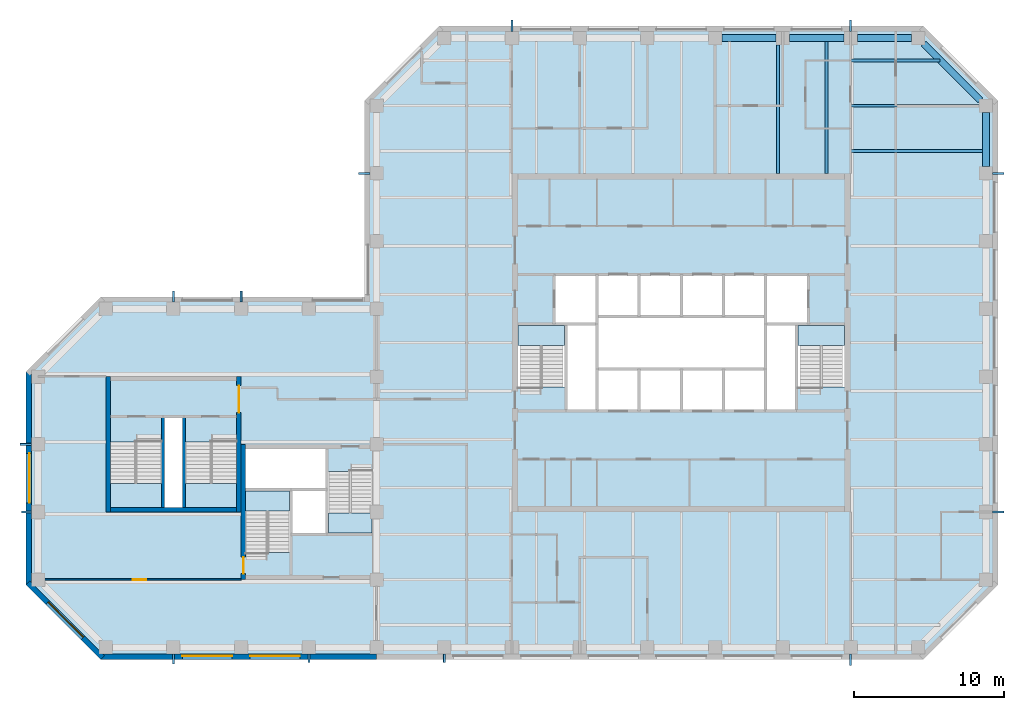
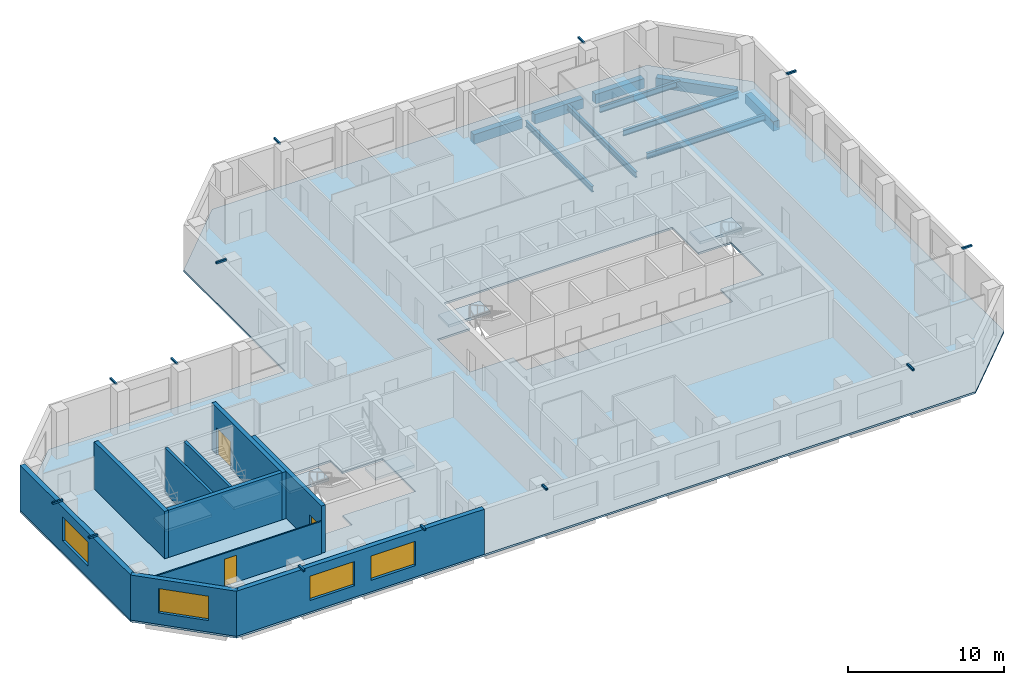
# One storey, part 2 of 9: 23 beams, 10 walls, 7 slabs, 4 windows, 3 doors, 7 openings, 6 elements without a shape of their own.
"""IFC4 building model written with IfcOpenShell, lengths in metres."""

import ifcopenshell
import ifcopenshell.guid

model = None  # the IFC model being written
_history = None  # IfcOwnerHistory: only IFC2X3 demands one
_inside = {}  # id of a spatial element -> (the spatial element, [elements in it])
_under = {}  # id of a project, library or spatial element -> (it, [spatial elements below it])
_declared = {}  # id of a project -> (the project, [libraries it declares])
_typed = {}  # id of a type object -> (the type object, [elements of that type])
_made_of = {}  # id of a material, layer set ... -> (it, [elements and type objects made of it])


def new_model(schema):
    """Start an empty IFC model of exactly this schema.

    Asked for "IFC4X3", IfcOpenShell would pick the latest addendum, in which some entities
    have other attributes; the version numbers below select the first issue.
    IFC2X3 requires an IfcOwnerHistory on every rooted entity: one is made here for all.
    """
    global model, _history
    if schema == "IFC4X3":
        model = ifcopenshell.file(schema_version=(4, 3, 0, 0))
    else:
        model = ifcopenshell.file(schema=schema)
    _inside.clear()
    _under.clear()
    _declared.clear()
    _typed.clear()
    _made_of.clear()
    _history = None
    if model.schema == "IFC2X3":
        org = make("IfcOrganization", Name="unknown")
        user = make(
            "IfcPersonAndOrganization",
            ThePerson=make("IfcPerson", FamilyName="unknown"),
            TheOrganization=org,
        )
        app = make(
            "IfcApplication",
            ApplicationDeveloper=org,
            Version="unknown",
            ApplicationFullName="unknown",
            ApplicationIdentifier="unknown",
        )
        _history = make(
            "IfcOwnerHistory",
            OwningUser=user,
            OwningApplication=app,
            ChangeAction="ADDED",
            CreationDate=0,
        )
    return model


def make(cls, **values):
    """One entity of the class cls with the attributes given. An attribute that is None is left unset."""
    return model.create_entity(
        cls, **{name: value for name, value in values.items() if value is not None}
    )


def rooted(cls, **values):
    """An entity with a GlobalId (a new one), such as an element, a storey or a relation."""
    return make(cls, GlobalId=ifcopenshell.guid.new(), OwnerHistory=_history, **values)


def si_unit(unit_type, name, prefix=None):
    """IfcSIUnit, for example si_unit("LENGTHUNIT", "METRE", prefix="MILLI")."""
    return make("IfcSIUnit", UnitType=unit_type, Prefix=prefix, Name=name)


def assignment(units):
    """IfcUnitAssignment: the units of a project."""
    return None if units is None else make("IfcUnitAssignment", Units=units)


def point(xyz):
    """IfcCartesianPoint."""
    return None if xyz is None else make("IfcCartesianPoint", Coordinates=xyz)


def direction(xyz):
    """IfcDirection."""
    return None if xyz is None else make("IfcDirection", DirectionRatios=xyz)


def frame(location, z_axis=None, x_axis=None):
    """IfcAxis2Placement3D, a coordinate frame: its origin and axes. An axis left out is left unset."""
    return make(
        "IfcAxis2Placement3D",
        Location=point(location),
        Axis=direction(z_axis),
        RefDirection=direction(x_axis),
    )


def frame_2d(location, x_axis=None):
    """IfcAxis2Placement2D, a coordinate frame in the plane: its origin and x axis."""
    return make(
        "IfcAxis2Placement2D", Location=point(location), RefDirection=direction(x_axis)
    )


def origin():
    """The frame at (0, 0, 0) with its axes left unset."""
    return frame((0.0, 0.0, 0.0))


def origin_2d():
    """The frame at (0, 0) in the plane with its x axis left unset."""
    return frame_2d((0.0, 0.0))


def place(relative_to, where):
    """IfcLocalPlacement: puts the frame where relative to a parent placement (None: the world)."""
    return make(
        "IfcLocalPlacement", PlacementRelTo=relative_to, RelativePlacement=where
    )


def context(
    kind, dimensions, precision=None, world=None, true_north=None, identifier=None
):
    """IfcGeometricRepresentationContext, for example the 3D "Model" context."""
    return make(
        "IfcGeometricRepresentationContext",
        ContextIdentifier=identifier,
        ContextType=kind,
        CoordinateSpaceDimension=dimensions,
        Precision=precision,
        WorldCoordinateSystem=world,
        TrueNorth=true_north,
    )


def subcontext(parent, identifier, kind, view, scale=None):
    """IfcGeometricRepresentationSubContext, for example "Body" below "Model"."""
    return make(
        "IfcGeometricRepresentationSubContext",
        ContextIdentifier=identifier,
        ContextType=kind,
        ParentContext=parent,
        TargetScale=scale,
        TargetView=view,
    )


def project(units=None, contexts=None):
    """IfcProject with its units and contexts."""
    return rooted(
        "IfcProject",
        Name="project",
        RepresentationContexts=contexts,
        UnitsInContext=assignment(units),
    )


def spatial(cls, under=None, at=None, **own):
    """A site, building, storey or space (cls), placed at a placement, below another one or the project."""
    s = rooted(cls, ObjectPlacement=at, **own)
    if under is not None:
        _under.setdefault(under.id(), (under, []))[1].append(s)
    return s


def polyline(points):
    """IfcPolyline through the points."""
    return make("IfcPolyline", Points=[point(p) for p in points])


def profile(cls, at=None, kind="AREA", **sizes):
    """A parametric profile (cls). Its sizes go by their IFC names, for example OverallWidth=200.0."""
    return make(cls, ProfileType=kind, Position=at, **sizes)


def rectangle(**sizes):
    """IfcRectangleProfileDef."""
    return profile("IfcRectangleProfileDef", **sizes)


def hollow_rectangle(**sizes):
    """IfcRectangleHollowProfileDef."""
    return profile("IfcRectangleHollowProfileDef", **sizes)


def i_section(**sizes):
    """IfcIShapeProfileDef."""
    return profile("IfcIShapeProfileDef", **sizes)


def outline(outer, holes=None, kind="AREA"):
    """IfcArbitraryClosedProfileDef: a profile drawn as a closed curve; with holes, ...WithVoids."""
    if holes is None:
        return make("IfcArbitraryClosedProfileDef", ProfileType=kind, OuterCurve=outer)
    return make(
        "IfcArbitraryProfileDefWithVoids",
        ProfileType=kind,
        OuterCurve=outer,
        InnerCurves=holes,
    )


def extrude(swept, where, along, depth):
    """IfcExtrudedAreaSolid: the profile swept, set in the frame where, extruded along a direction by depth."""
    return make(
        "IfcExtrudedAreaSolid",
        SweptArea=swept,
        Position=where,
        ExtrudedDirection=direction(along),
        Depth=depth,
    )


def shape(context_of_items, identifier, shape_type, items):
    """IfcShapeRepresentation: the items that make up one representation, for example the "Body"."""
    return make(
        "IfcShapeRepresentation",
        ContextOfItems=context_of_items,
        RepresentationIdentifier=identifier,
        RepresentationType=shape_type,
        Items=items,
    )


def material(Name=None, Category=None):
    """IfcMaterial."""
    return make("IfcMaterial", Name=Name, Category=Category)


def layer(
    of_material, thickness, ventilated=None, Name=None, Category=None, Priority=None
):
    """IfcMaterialLayer: one layer of a wall or slab, of a material (None: an air gap)."""
    return make(
        "IfcMaterialLayer",
        Material=of_material,
        LayerThickness=thickness,
        IsVentilated=ventilated,
        Name=Name,
        Category=Category,
        Priority=Priority,
    )


def layer_set(layers, Name=None):
    """IfcMaterialLayerSet."""
    return make("IfcMaterialLayerSet", MaterialLayers=layers, LayerSetName=Name)


def constituent(of_material, Name=None, Category=None, fraction=None):
    """IfcMaterialConstituent: one of the materials an element consists of."""
    return make(
        "IfcMaterialConstituent",
        Name=Name,
        Material=of_material,
        Fraction=fraction,
        Category=Category,
    )


def constituent_set(constituents=None, Name=None):
    """IfcMaterialConstituentSet."""
    return make(
        "IfcMaterialConstituentSet", Name=Name, MaterialConstituents=constituents
    )


def material_profile(
    of_material, cross_section, Name=None, Category=None, Priority=None
):
    """IfcMaterialProfile: a cross section and its material."""
    return make(
        "IfcMaterialProfile",
        Name=Name,
        Material=of_material,
        Profile=cross_section,
        Priority=Priority,
        Category=Category,
    )


def profile_set(profiles, Name=None, composite=None):
    """IfcMaterialProfileSet."""
    return make(
        "IfcMaterialProfileSet",
        Name=Name,
        MaterialProfiles=profiles,
        CompositeProfile=composite,
    )


def made_of(thing, what):
    """Note that an element or type object is made of a material, layer set ...; save() writes the relation."""
    if what is not None:
        _made_of.setdefault(what.id(), (what, []))[1].append(thing)
    return thing


def type_object(cls, material=None, **own):
    """A type object (cls), such as IfcWallType, which elements share."""
    return made_of(rooted(cls, **own), material)


def element(
    cls,
    number,
    at=None,
    inside=None,
    cuts=None,
    type_object=None,
    material=None,
    context=None,
    identifier="Body",
    shape_type=None,
    held_by="IfcProductDefinitionShape",
    body=None,
    shapes=None,
    **own,
):
    """One element of the class cls, such as IfcWall. Its Tag is "e" and its number.

    at: its placement. inside: the storey or other place that contains it. cuts: it is an
    opening in that element (IfcRelVoidsElement). A single representation is given by context,
    identifier, shape_type and body (its items); several are given by shapes. held_by: the class
    of the entity that holds the representations. save() writes the other relations.
    """
    e = rooted(cls, Tag="e%d" % number, ObjectPlacement=at, **own)
    if body is not None:
        shapes = [shape(context, identifier, shape_type, body)]
    if shapes is not None:
        e.Representation = make(held_by, Representations=shapes)
    if inside is not None:
        _inside.setdefault(inside.id(), (inside, []))[1].append(e)
    if cuts is not None:
        rooted(
            "IfcRelVoidsElement", RelatingBuildingElement=cuts, RelatedOpeningElement=e
        )
    if type_object is not None:
        _typed.setdefault(type_object.id(), (type_object, []))[1].append(e)
    return made_of(e, material)


def fill(opening, filler):
    """IfcRelFillsElement: the door or window that sits in an opening."""
    return rooted(
        "IfcRelFillsElement",
        RelatingOpeningElement=opening,
        RelatedBuildingElement=filler,
    )


def aggregate(whole, parts):
    """IfcRelAggregates: a whole, such as a stair, and the parts it consists of."""
    return rooted("IfcRelAggregates", RelatingObject=whole, RelatedObjects=parts)


def save(model, path):
    """Write the relations noted so far, then the file.

    IfcRelAggregates (storeys below a building ...), IfcRelContainedInSpatialStructure (elements
    in a storey), IfcRelDefinesByType, IfcRelAssociatesMaterial and IfcRelDeclares: one each for
    every whole, place, type object, material and project.
    """
    for whole, parts in _under.values():
        aggregate(whole, parts)
    for where, things in _inside.values():
        rooted(
            "IfcRelContainedInSpatialStructure",
            RelatedElements=things,
            RelatingStructure=where,
        )
    for kind, things in _typed.values():
        rooted("IfcRelDefinesByType", RelatedObjects=things, RelatingType=kind)
    for what, things in _made_of.values():
        rooted("IfcRelAssociatesMaterial", RelatedObjects=things, RelatingMaterial=what)
    for by, libraries in _declared.values():
        rooted("IfcRelDeclares", RelatingContext=by, RelatedDefinitions=libraries)
    model.write(path)


model = new_model("IFC4")

# Units and contexts
model_context = context("Model", 3, precision=1e-05, world=origin(), true_north=direction((0.0, 1.0)))
body_context = subcontext(model_context, "Body", "Model", "MODEL_VIEW")
ifc_project = project(units=[si_unit("LENGTHUNIT", "METRE"), si_unit("AREAUNIT", "SQUARE_METRE"), si_unit("VOLUMEUNIT", "CUBIC_METRE"), si_unit("PLANEANGLEUNIT", "RADIAN"), si_unit("MASSUNIT", "GRAM", prefix="KILO")], contexts=[model_context])

# Site, building, storey
site_placement = place(None, origin())
site = spatial("IfcSite", under=ifc_project, at=site_placement, CompositionType="ELEMENT")
building_placement = place(site_placement, origin())
building = spatial("IfcBuilding", under=site, at=building_placement, Name="Quoin Convention Tower", CompositionType="ELEMENT")
storey_placement = place(building_placement, frame((0.0, 0.0, 169.89990234375)))
storey = spatial("IfcBuildingStorey", under=building, at=storey_placement, Name="L44", CompositionType="ELEMENT", Elevation=169.89990234375)

# Beams
ifc_material_1 = material(Name="Steel C450L0", Category="steel")
ifc_material_profile_1 = material_profile(ifc_material_1, hollow_rectangle(XDim=0.14990234375, YDim=0.14990234375, WallThickness=0.008056640625, InnerFilletRadius=0.011962890625, OuterFilletRadius=0.02001953125, at=origin_2d()), Name="150x150x8.0SHS")
ifc_profile_set_1 = profile_set([ifc_material_profile_1], Name="Steel C450L0")
beam_type_1 = type_object("IfcBeamType", Name="150x150x8.0SHS", PredefinedType="BEAM", material=ifc_profile_set_1)
beam_1_placement = place(storey_placement, frame((13.050048828125, 54.0, 3.625), z_axis=(-1.0, 0.0, 0.0), x_axis=(0.0, -1.0, 0.0)))
element("IfcBeam", 1, at=beam_1_placement, inside=storey, type_object=beam_type_1, Name="brk-hi-L41-13500_58500-13500_54000", PredefinedType="BEAM", context=body_context, shape_type="SweptSolid", body=[
    extrude(hollow_rectangle(XDim=0.14990234375, YDim=0.14990234375, WallThickness=0.008056640625, InnerFilletRadius=0.011962890625, OuterFilletRadius=0.02001953125, at=origin_2d()), origin(), (0.0, 0.0, 1.0), 0.75),
])
for number, where, z_axis, x_axis, name in (
    (2, (13.050048828125, 49.5, 3.625), (-1.0, 0.0, 0.0), (0.0, -1.0, 0.0), "brk-hi-L41-13500_49500-13500_45000"),
    (3, (22.5, 40.050048828125, 3.625), (0.0, -1.0, 0.0), (1.0, 0.0, 0.0), "brk-hi-L41-18000_40500-22500_40500"),
):
    element("IfcBeam", number, at=place(storey_placement, frame(where, z_axis=z_axis, x_axis=x_axis)), inside=storey, type_object=beam_type_1, Name=name, PredefinedType="BEAM", context=body_context, shape_type="SweptSolid", body=[
        extrude(hollow_rectangle(XDim=0.14990234375, YDim=0.14990234375, WallThickness=0.008056640625, InnerFilletRadius=0.011962890625, OuterFilletRadius=0.02001953125, at=origin_2d()), origin(), (0.0, 0.0, 1.0), 0.650146484375),
    ])
for number, where, z_axis, x_axis, name in (
    (4, (31.5, 40.050048828125, 3.625), (0.0, -1.0, 0.0), (1.0, 0.0, 0.0), "brk-hi-L41-31500_40500-36000_40500"),
    (5, (40.5, 40.050048828125, 3.625), (0.0, -1.0, 0.0), (1.0, 0.0, 0.0), "brk-hi-L41-36000_40500-40500_40500"),
):
    element("IfcBeam", number, at=place(storey_placement, frame(where, z_axis=z_axis, x_axis=x_axis)), inside=storey, type_object=beam_type_1, Name=name, PredefinedType="BEAM", context=body_context, shape_type="SweptSolid", body=[
        extrude(hollow_rectangle(XDim=0.14990234375, YDim=0.14990234375, WallThickness=0.008056640625, InnerFilletRadius=0.011962890625, OuterFilletRadius=0.02001953125, at=origin_2d()), origin(), (0.0, 0.0, 1.0), 0.550048828125),
    ])
for number, where, z_axis, x_axis, name in (
    (6, (67.5, 40.050048828125, 3.625), (0.0, -1.0, 0.0), (1.0, 0.0, 0.0), "brk-hi-L41-67500_40500-72000_40500"),
    (7, (27.0, 63.449951171875, 3.625), (0.0, 1.0, 0.0), (-1.0, 0.0, 0.0), "brk-hi-L41-31500_63000-27000_63000"),
    (8, (22.5, 63.449951171875, 3.625), (0.0, 1.0, 0.0), (-1.0, 0.0, 0.0), "brk-hi-L41-22500_63000-18000_63000"),
    (9, (35.550048828125, 72.0, 3.625), (-1.0, 0.0, 0.0), (0.0, -1.0, 0.0), "brk-hi-L41-36000_76500-36000_72000"),
    (10, (67.5, 81.449951171875, 3.625), (0.0, 1.0, 0.0), (-1.0, 0.0, 0.0), "brk-hi-L41-72000_81000-67500_81000"),
    (11, (45.0, 81.449951171875, 3.625), (0.0, 1.0, 0.0), (-1.0, 0.0, 0.0), "brk-hi-L41-45000_81000-40500_81000"),
    (12, (76.949951171875, 49.5, 3.625), (1.0, 0.0, 0.0), (0.0, 1.0, 0.0), "brk-hi-L41-76500_45000-76500_49500"),
    (13, (76.949951171875, 72.0, 3.625), (1.0, 0.0, 0.0), (0.0, 1.0, 0.0), "brk-hi-L41-76500_72000-76500_76500"),
):
    element("IfcBeam", number, at=place(storey_placement, frame(where, z_axis=z_axis, x_axis=x_axis)), inside=storey, type_object=beam_type_1, Name=name, PredefinedType="BEAM", context=body_context, shape_type="SweptSolid", body=[
        extrude(hollow_rectangle(XDim=0.14990234375, YDim=0.14990234375, WallThickness=0.008056640625, InnerFilletRadius=0.011962890625, OuterFilletRadius=0.02001953125, at=origin_2d()), origin(), (0.0, 0.0, 1.0), 0.75),
    ])
ifc_material_2 = material(Name="Steel Grade 300", Category="steel")
ifc_material_profile_2 = material_profile(ifc_material_2, i_section(OverallWidth=0.18994140625, OverallDepth=0.4541015625, WebThickness=0.008544921875, FlangeThickness=0.0126953125, FilletRadius=0.011474609375, at=origin_2d()), Name="460UB67.1")
ifc_profile_set_2 = profile_set([ifc_material_profile_2], Name="Steel Grade 300")
beam_type_2 = type_object("IfcBeamType", Name="460UB67.1", PredefinedType="BEAM", material=ifc_profile_set_2)
beam_2_placement = place(storey_placement, frame((62.6787109375, 72.0, -0.376953125), z_axis=(0.0, 1.0, 0.0), x_axis=(-1.0, 0.0, 0.0)))
element("IfcBeam", 14, at=beam_2_placement, inside=storey, type_object=beam_type_2, Name="bm-L44-T1N5", PredefinedType="BEAM", context=body_context, shape_type="SweptSolid", body=[
    extrude(i_section(OverallWidth=0.18994140625, OverallDepth=0.4541015625, WebThickness=0.008544921875, FlangeThickness=0.0126953125, FilletRadius=0.011474609375, at=origin_2d()), origin(), (0.0, 0.0, 1.0), 8.550048828125),
])
beam_3_placement = place(storey_placement, frame((65.892822265625, 72.0, -0.376953125), z_axis=(0.0, 1.0, 0.0), x_axis=(-1.0, 0.0, 0.0)))
element("IfcBeam", 15, at=beam_3_placement, inside=storey, type_object=beam_type_2, Name="bm-L44-T1N6", PredefinedType="BEAM", context=body_context, shape_type="SweptSolid", body=[
    extrude(i_section(OverallWidth=0.18994140625, OverallDepth=0.4541015625, WebThickness=0.008544921875, FlangeThickness=0.0126953125, FilletRadius=0.011474609375, at=origin_2d()), origin(), (0.0, 0.0, 1.0), 8.77490234375),
])
beam_4_placement = place(storey_placement, frame((67.5, 79.5, -0.376953125), z_axis=(1.0, 0.0, 0.0), x_axis=(0.0, 1.0, 0.0)))
element("IfcBeam", 16, at=beam_4_placement, inside=storey, type_object=beam_type_2, Name="bm-L44-T1NE0", PredefinedType="BEAM", context=body_context, shape_type="SweptSolid", body=[
    extrude(i_section(OverallWidth=0.18994140625, OverallDepth=0.4541015625, WebThickness=0.008544921875, FlangeThickness=0.0126953125, FilletRadius=0.011474609375, at=origin_2d()), origin(), (0.0, 0.0, 1.0), 5.935791015625),
])
beam_5_placement = place(storey_placement, frame((67.5, 76.5, -0.376953125), z_axis=(1.0, 0.0, 0.0), x_axis=(0.0, 1.0, 0.0)))
element("IfcBeam", 17, at=beam_5_placement, inside=storey, type_object=beam_type_2, Name="bm-L44-T1NE1", PredefinedType="BEAM", context=body_context, shape_type="SweptSolid", body=[
    extrude(i_section(OverallWidth=0.18994140625, OverallDepth=0.4541015625, WebThickness=0.008544921875, FlangeThickness=0.0126953125, FilletRadius=0.011474609375, at=origin_2d()), origin(), (0.0, 0.0, 1.0), 8.550048828125),
])
beam_6_placement = place(storey_placement, frame((67.5, 73.5, -0.376953125), z_axis=(1.0, 0.0, 0.0), x_axis=(0.0, 1.0, 0.0)))
element("IfcBeam", 18, at=beam_6_placement, inside=storey, type_object=beam_type_2, Name="bm-L44-T1NE2", PredefinedType="BEAM", context=body_context, shape_type="SweptSolid", body=[
    extrude(i_section(OverallWidth=0.18994140625, OverallDepth=0.4541015625, WebThickness=0.008544921875, FlangeThickness=0.0126953125, FilletRadius=0.011474609375, at=origin_2d()), origin(), (0.0, 0.0, 1.0), 8.77490234375),
])
ifc_material_3 = material(Name="Concrete C50", Category="concrete")
ifc_material_profile_3 = material_profile(ifc_material_3, rectangle(XDim=0.449951171875, YDim=0.75, at=origin_2d()), Name="RC 450x750")
ifc_profile_set_3 = profile_set([ifc_material_profile_3], Name="Concrete C50")
beam_type_3 = type_object("IfcBeamType", Name="RC 450x750 C50", PredefinedType="SPANDREL", material=ifc_profile_set_3)
beam_7_placement = place(storey_placement, frame((76.5, 72.449951171875, -0.52490234375), z_axis=(0.0, 1.0, 0.0), x_axis=(-1.0, 0.0, 0.0)))
element("IfcBeam", 19, at=beam_7_placement, inside=storey, type_object=beam_type_3, Name="spd-L44-76500_72000-76500_76500", PredefinedType="SPANDREL", context=body_context, shape_type="SweptSolid", body=[
    extrude(rectangle(XDim=0.449951171875, YDim=0.75, at=origin_2d()), origin(), (0.0, 0.0, 1.0), 3.60009765625),
])
beam_8_placement = place(storey_placement, frame((76.135009765625, 76.864990234375, -0.52490234375), z_axis=(-0.707106781187, 0.707106781187, 0.0), x_axis=(-0.707106781187, -0.707106781187, 0.0)))
element("IfcBeam", 20, at=beam_8_placement, inside=storey, type_object=beam_type_3, Name="spd-L44-76500_76500-72000_81000", PredefinedType="SPANDREL", context=body_context, shape_type="SweptSolid", body=[
    extrude(rectangle(XDim=0.449951171875, YDim=0.75, at=origin_2d()), origin(), (0.0, 0.0, 1.0), 5.33154296875),
])
for number, where, z_axis, x_axis, name in (
    (21, (71.550048828125, 81.0, -0.52490234375), (-1.0, 0.0, 0.0), (0.0, -1.0, 0.0), "spd-L44-72000_81000-67500_81000"),
    (22, (67.050048828125, 81.0, -0.52490234375), (-1.0, 0.0, 0.0), (0.0, -1.0, 0.0), "spd-L44-67500_81000-63000_81000"),
    (23, (62.550048828125, 81.0, -0.52490234375), (-1.0, 0.0, 0.0), (0.0, -1.0, 0.0), "spd-L44-63000_81000-58500_81000"),
):
    element("IfcBeam", number, at=place(storey_placement, frame(where, z_axis=z_axis, x_axis=x_axis)), inside=storey, type_object=beam_type_3, Name=name, PredefinedType="SPANDREL", context=body_context, shape_type="SweptSolid", body=[
        extrude(rectangle(XDim=0.449951171875, YDim=0.75, at=origin_2d()), origin(), (0.0, 0.0, 1.0), 3.60009765625),
    ])

# Slab
ifc_material_4 = material(Name="Concrete C40", Category="concrete")
ifc_layer_1 = layer(ifc_material_4, 0.14990234375)
ifc_layer_set_1 = layer_set([ifc_layer_1], Name="Concrete C40")
slab_type_1 = type_object("IfcSlabType", Name="COMPOSITE SLAB 150 C40", PredefinedType="FLOOR", material=ifc_layer_set_1)
slab_1_placement = place(storey_placement, frame((0.0, 0.0, -0.14990234375)))
element("IfcSlab", 24, at=slab_1_placement, inside=storey, type_object=slab_type_1, Name="slb-L44", PredefinedType="FLOOR", context=body_context, shape_type="SweptSolid", body=[
    extrude(outline(polyline([(17.668701171875, 39.699951171875), (12.699951171875, 44.668701171875), (12.699951171875, 58.831298828125), (17.668701171875, 63.800048828125), (35.199951171875, 63.800048828125), (35.199951171875, 76.831298828125), (40.168701171875, 81.800048828125), (72.331298828125, 81.800048828125), (77.300048828125, 76.831298828125), (77.300048828125, 44.668701171875), (72.331298828125, 39.699951171875), (17.668701171875, 39.699951171875)]), holes=[polyline([(27.300048828125, 51.0), (27.300048828125, 46.800537109375), (30.300048828125, 46.800537109375), (30.300048828125, 48.0), (32.699951171875, 48.0), (35.699951171875, 48.0), (35.699951171875, 52.199462890625), (32.699951171875, 52.199462890625), (32.699951171875, 53.699951171875), (27.300048828125, 53.699951171875), (27.300048828125, 51.0)]), polyline([(18.300048828125, 49.800048828125), (21.800048828125, 49.800048828125), (23.199951171875, 49.800048828125), (26.699951171875, 49.800048828125), (26.699951171875, 54.1494140625), (23.199951171875, 54.1494140625), (23.199951171875, 55.85009765625), (21.800048828125, 55.85009765625), (21.800048828125, 54.1494140625), (18.300048828125, 54.1494140625), (18.300048828125, 49.800048828125)]), polyline([(48.60009765625, 56.199951171875), (50.64990234375, 56.199951171875), (53.449951171875, 56.199951171875), (56.25, 56.199951171875), (59.050048828125, 56.199951171875), (61.85009765625, 56.199951171875), (63.89990234375, 56.199951171875), (63.89990234375, 57.800537109375), (67.10009765625, 57.800537109375), (67.10009765625, 62.0), (64.699951171875, 62.0), (64.699951171875, 65.300048828125), (61.85009765625, 65.300048828125), (59.050048828125, 65.300048828125), (56.25, 65.300048828125), (53.449951171875, 65.300048828125), (50.64990234375, 65.300048828125), (47.800048828125, 65.300048828125), (47.800048828125, 62.0), (45.39990234375, 62.0), (45.39990234375, 57.800537109375), (48.60009765625, 57.800537109375), (48.60009765625, 56.199951171875)])]), origin(), (0.0, 0.0, 1.0), 0.14990234375),
])

# Stair, slab
stair_type_1 = type_object("IfcStairType", Name="Exit stair two-flight 1350", PredefinedType="HALF_TURN_STAIR", material=ifc_material_4)
stair_1_placement = place(storey_placement, origin())
stair_1 = element("IfcStair", 25, at=stair_1_placement, inside=storey, type_object=stair_type_1, Name="SD1 L44", PredefinedType="HALF_TURN_STAIR")
ifc_layer_2 = layer(ifc_material_4, 0.199951171875)
ifc_layer_set_2 = layer_set([ifc_layer_2], Name="Concrete C40")
slab_type_2 = type_object("IfcSlabType", Name="Stair landing 200", PredefinedType="LANDING", material=ifc_layer_set_2)
slab_2_placement = place(storey_placement, frame((0.0, 0.0, 1.79248046875)))
slab_2 = element("IfcSlab", 26, at=slab_2_placement, type_object=slab_type_2, Name="ST1 landing 1", PredefinedType="LANDING", context=body_context, shape_type="SweptSolid", body=[
    extrude(outline(polyline([(45.39990234375, 60.550048828125), (48.5, 60.550048828125), (48.5, 61.89990234375), (45.39990234375, 61.89990234375), (45.39990234375, 60.550048828125)])), origin(), (0.0, 0.0, 1.0), 0.199951171875),
])
aggregate(stair_1, [slab_2])

stair_2_placement = place(storey_placement, origin())
stair_2 = element("IfcStair", 27, at=stair_2_placement, inside=storey, type_object=stair_type_1, Name="SD2 L44", PredefinedType="HALF_TURN_STAIR")
slab_3_placement = place(storey_placement, frame((0.0, 0.0, 1.79248046875)))
slab_3 = element("IfcSlab", 28, at=slab_3_placement, type_object=slab_type_2, Name="ST2 landing 1", PredefinedType="LANDING", context=body_context, shape_type="SweptSolid", body=[
    extrude(outline(polyline([(64.0, 60.550048828125), (67.10009765625, 60.550048828125), (67.10009765625, 61.89990234375), (64.0, 61.89990234375), (64.0, 60.550048828125)])), origin(), (0.0, 0.0, 1.0), 0.199951171875),
])
aggregate(stair_2, [slab_3])

stair_3_placement = place(storey_placement, origin())
stair_3 = element("IfcStair", 29, at=stair_3_placement, inside=storey, type_object=stair_type_1, Name="SD3 L44", PredefinedType="HALF_TURN_STAIR")
slab_4_placement = place(storey_placement, frame((0.0, 0.0, 1.79248046875)))
slab_4 = element("IfcSlab", 30, at=slab_4_placement, type_object=slab_type_2, Name="ST3 landing 1", PredefinedType="LANDING", context=body_context, shape_type="SweptSolid", body=[
    extrude(outline(polyline([(27.300048828125, 49.550048828125), (30.199951171875, 49.550048828125), (30.199951171875, 50.89990234375), (27.300048828125, 50.89990234375), (27.300048828125, 49.550048828125)])), origin(), (0.0, 0.0, 1.0), 0.199951171875),
])
aggregate(stair_3, [slab_4])

stair_4_placement = place(storey_placement, origin())
stair_4 = element("IfcStair", 31, at=stair_4_placement, inside=storey, type_object=stair_type_1, Name="SD4 L44", PredefinedType="HALF_TURN_STAIR")
slab_5_placement = place(storey_placement, frame((0.0, 0.0, 1.79248046875)))
slab_5 = element("IfcSlab", 32, at=slab_5_placement, type_object=slab_type_2, Name="ST4 landing 1", PredefinedType="LANDING", context=body_context, shape_type="SweptSolid", body=[
    extrude(outline(polyline([(35.699951171875, 49.449951171875), (32.800048828125, 49.449951171875), (32.800048828125, 48.10009765625), (35.699951171875, 48.10009765625), (35.699951171875, 49.449951171875)])), origin(), (0.0, 0.0, 1.0), 0.199951171875),
])
aggregate(stair_4, [slab_5])

stair_type_2 = type_object("IfcStairType", Name="Exit stair two-flight 1600", PredefinedType="HALF_TURN_STAIR", material=ifc_material_4)
stair_5_placement = place(storey_placement, origin())
stair_5 = element("IfcStair", 33, at=stair_5_placement, inside=storey, type_object=stair_type_2, Name="SD11 L44", PredefinedType="HALF_TURN_STAIR")
slab_6_placement = place(storey_placement, frame((0.0, 0.0, 1.79248046875)))
slab_6 = element("IfcSlab", 34, at=slab_6_placement, type_object=slab_type_2, Name="ST11 landing 1", PredefinedType="LANDING", context=body_context, shape_type="SweptSolid", body=[
    extrude(outline(polyline([(21.699951171875, 51.39990234375), (18.300048828125, 51.39990234375), (18.300048828125, 49.800048828125), (21.699951171875, 49.800048828125), (21.699951171875, 51.39990234375)])), origin(), (0.0, 0.0, 1.0), 0.199951171875),
])
aggregate(stair_5, [slab_6])

stair_6_placement = place(storey_placement, origin())
stair_6 = element("IfcStair", 35, at=stair_6_placement, inside=storey, type_object=stair_type_2, Name="SD12 L44", PredefinedType="HALF_TURN_STAIR")
slab_7_placement = place(storey_placement, frame((0.0, 0.0, 1.79248046875)))
slab_7 = element("IfcSlab", 36, at=slab_7_placement, type_object=slab_type_2, Name="ST12 landing 1", PredefinedType="LANDING", context=body_context, shape_type="SweptSolid", body=[
    extrude(outline(polyline([(26.699951171875, 51.39990234375), (23.300048828125, 51.39990234375), (23.300048828125, 49.800048828125), (26.699951171875, 49.800048828125), (26.699951171875, 51.39990234375)])), origin(), (0.0, 0.0, 1.0), 0.199951171875),
])
aggregate(stair_6, [slab_7])

# Wall, opening, window
ifc_material_5 = material(Name="Brick masonry", Category="masonry")
ifc_layer_3 = layer(ifc_material_5, 0.35009765625)
ifc_layer_set_3 = layer_set([ifc_layer_3], Name="Brick masonry")
wall_type_1 = type_object("IfcWallType", Name="Brick facade wall", PredefinedType="STANDARD", material=ifc_layer_set_3)
wall_1_placement = place(storey_placement, frame((12.875, 58.831298828125, 0.0), z_axis=(0.0, 0.0, 1.0), x_axis=(0.0, -1.0, 0.0)))
wall_1 = element("IfcWall", 37, at=wall_1_placement, inside=storey, type_object=wall_type_1, Name="fw-L44-13500_58500", PredefinedType="STANDARD", context=body_context, shape_type="SweptSolid", body=[
    extrude(rectangle(XDim=14.16259765625, YDim=0.35009765625, at=frame_2d((7.081298828125, 0.0))), origin(), (0.0, 0.0, 1.0), 3.525146484375),
])
opening_1_placement = place(wall_1_placement, frame((5.431396484375, 0.0, 0.89990234375)))
opening_1 = element("IfcOpeningElement", 38, at=opening_1_placement, cuts=wall_1, Name="Opening W-02", PredefinedType="OPENING", context=body_context, shape_type="SweptSolid", body=[
    extrude(rectangle(XDim=3.300048828125, YDim=1.89990234375, at=frame_2d((1.64990234375, 0.949951171875))), frame((0.0, 0.18505859375, 0.0), z_axis=(0.0, -1.0, 0.0), x_axis=(1.0, 0.0, 0.0)), (0.0, 0.0, 1.0), 0.3701171875),
])
ifc_material_6 = material(Name="Aluminium", Category="aluminium")
ifc_constituent_1 = constituent(ifc_material_6, Name="Frame")
ifc_material_7 = material(Name="Insulated glass", Category="glass")
ifc_constituent_2 = constituent(ifc_material_7, Name="Glazing")
ifc_constituent_set = constituent_set(constituents=[ifc_constituent_1, ifc_constituent_2], Name="Aluminium")
window_type = type_object("IfcWindowType", Name="Office window", PartitioningType="DOUBLE_PANEL_VERTICAL", PredefinedType="WINDOW", material=ifc_constituent_set)
window_1_placement = place(opening_1_placement, origin())
window_1 = element("IfcWindow", 39, at=window_1_placement, inside=storey, type_object=window_type, Name="win-L44-12875_51750", OverallHeight=1.89990234375, OverallWidth=3.300048828125, PartitioningType="SINGLE_PANEL", PredefinedType="WINDOW", context=body_context, shape_type="SweptSolid", body=[
    extrude(rectangle(XDim=3.300048828125, YDim=1.89990234375, at=frame_2d((1.64990234375, 0.949951171875))), frame((0.0, 0.0849609375, 0.0), z_axis=(0.0, -1.0, 0.0), x_axis=(1.0, 0.0, 0.0)), (0.0, 0.0, 1.0), 0.06005859375),
])
fill(opening_1, window_1)

wall_2_placement = place(storey_placement, frame((12.82373046875, 44.79248046875, 0.0), z_axis=(0.0, 0.0, 1.0), x_axis=(0.707106781187, -0.707106781187, 0.0)))
wall_2 = element("IfcWall", 40, at=wall_2_placement, inside=storey, type_object=wall_type_1, Name="fw-L44-13500_45000", PredefinedType="STANDARD", context=body_context, shape_type="SweptSolid", body=[
    extrude(rectangle(XDim=7.02685546875, YDim=0.35009765625, at=frame_2d((3.513427734375, 0.0))), origin(), (0.0, 0.0, 1.0), 3.525146484375),
])
opening_2_placement = place(wall_2_placement, frame((1.86328125, 0.0, 0.89990234375)))
opening_2 = element("IfcOpeningElement", 41, at=opening_2_placement, cuts=wall_2, Name="Opening W-02", PredefinedType="OPENING", context=body_context, shape_type="SweptSolid", body=[
    extrude(rectangle(XDim=3.300048828125, YDim=1.89990234375, at=frame_2d((1.64990234375, 0.949951171875))), frame((0.0, 0.18505859375, 0.0), z_axis=(0.0, -1.0, 0.0), x_axis=(1.0, 0.0, 0.0)), (0.0, 0.0, 1.0), 0.3701171875),
])
window_2_placement = place(opening_2_placement, origin())
window_2 = element("IfcWindow", 42, at=window_2_placement, inside=storey, type_object=window_type, Name="win-L44-15308_42308", OverallHeight=1.89990234375, OverallWidth=3.300048828125, PartitioningType="SINGLE_PANEL", PredefinedType="WINDOW", context=body_context, shape_type="SweptSolid", body=[
    extrude(rectangle(XDim=3.300048828125, YDim=1.89990234375, at=frame_2d((1.64990234375, 0.949951171875))), frame((0.0, 0.0849609375, 0.0), z_axis=(0.0, -1.0, 0.0), x_axis=(1.0, 0.0, 0.0)), (0.0, 0.0, 1.0), 0.06005859375),
])
fill(opening_2, window_2)

# Wall, openings, windows
wall_3_placement = place(storey_placement, frame((17.668701171875, 39.875, 0.0), z_axis=(0.0, 0.0, 1.0), x_axis=(1.0, 0.0, 0.0)))
wall_3 = element("IfcWall", 43, at=wall_3_placement, inside=storey, type_object=wall_type_1, Name="fw-L44-18000_40500", PredefinedType="STANDARD", context=body_context, shape_type="SweptSolid", body=[
    extrude(rectangle(XDim=18.331298828125, YDim=0.35009765625, at=frame_2d((9.16552734375, 0.0))), origin(), (0.0, 0.0, 1.0), 3.525146484375),
])
opening_3_placement = place(wall_3_placement, frame((5.431396484375, 0.0, 0.89990234375)))
opening_3 = element("IfcOpeningElement", 44, at=opening_3_placement, cuts=wall_3, Name="Opening W-02", PredefinedType="OPENING", context=body_context, shape_type="SweptSolid", body=[
    extrude(rectangle(XDim=3.300048828125, YDim=1.89990234375, at=frame_2d((1.64990234375, 0.949951171875))), frame((0.0, 0.18505859375, 0.0), z_axis=(0.0, -1.0, 0.0), x_axis=(1.0, 0.0, 0.0)), (0.0, 0.0, 1.0), 0.3701171875),
])
opening_4_placement = place(wall_3_placement, frame((9.931396484375, 0.0, 0.89990234375)))
opening_4 = element("IfcOpeningElement", 45, at=opening_4_placement, cuts=wall_3, Name="Opening W-02", PredefinedType="OPENING", context=body_context, shape_type="SweptSolid", body=[
    extrude(rectangle(XDim=3.300048828125, YDim=1.89990234375, at=frame_2d((1.64990234375, 0.949951171875))), frame((0.0, 0.18505859375, 0.0), z_axis=(0.0, -1.0, 0.0), x_axis=(1.0, 0.0, 0.0)), (0.0, 0.0, 1.0), 0.3701171875),
])
window_3_placement = place(opening_3_placement, origin())
window_3 = element("IfcWindow", 46, at=window_3_placement, inside=storey, type_object=window_type, Name="win-L44-24750_39875", OverallHeight=1.89990234375, OverallWidth=3.300048828125, PartitioningType="SINGLE_PANEL", PredefinedType="WINDOW", context=body_context, shape_type="SweptSolid", body=[
    extrude(rectangle(XDim=3.300048828125, YDim=1.89990234375, at=frame_2d((1.64990234375, 0.949951171875))), frame((0.0, 0.0849609375, 0.0), z_axis=(0.0, -1.0, 0.0), x_axis=(1.0, 0.0, 0.0)), (0.0, 0.0, 1.0), 0.06005859375),
])
fill(opening_3, window_3)
window_4_placement = place(opening_4_placement, origin())
window_4 = element("IfcWindow", 47, at=window_4_placement, inside=storey, type_object=window_type, Name="win-L44-29250_39875", OverallHeight=1.89990234375, OverallWidth=3.300048828125, PartitioningType="SINGLE_PANEL", PredefinedType="WINDOW", context=body_context, shape_type="SweptSolid", body=[
    extrude(rectangle(XDim=3.300048828125, YDim=1.89990234375, at=frame_2d((1.64990234375, 0.949951171875))), frame((0.0, 0.0849609375, 0.0), z_axis=(0.0, -1.0, 0.0), x_axis=(1.0, 0.0, 0.0)), (0.0, 0.0, 1.0), 0.06005859375),
])
fill(opening_4, window_4)

# Walls
ifc_layer_4 = layer(ifc_material_3, 0.199951171875)
ifc_layer_set_4 = layer_set([ifc_layer_4], Name="Concrete C50")
wall_type_2 = type_object("IfcWallType", Name="Core shaft wall", PredefinedType="SOLIDWALL", material=ifc_layer_set_4)
for number, where, z_axis, x_axis, name in (
    (48, (21.800048828125, 49.800048828125, 0.0), (0.0, 0.0, 1.0), (0.0, 1.0, 0.0), "cr-P6-L44-v3800_300"),
    (49, (23.199951171875, 49.800048828125, 0.0), (0.0, 0.0, 1.0), (0.0, 1.0, 0.0), "cr-P6-L44-v5200_300"),
):
    element("IfcWall", number, at=place(storey_placement, frame(where, z_axis=z_axis, x_axis=x_axis)), inside=storey, type_object=wall_type_2, Name=name, PredefinedType="SOLIDWALL", context=body_context, shape_type="SweptSolid", body=[
        extrude(rectangle(XDim=6.050048828125, YDim=0.199951171875, at=frame_2d((3.02490234375, 0.0))), origin(), (0.0, 0.0, 1.0), 3.550048828125),
    ])

# Wall, opening, door
ifc_layer_5 = layer(ifc_material_3, 0.300048828125)
ifc_layer_set_5 = layer_set([ifc_layer_5], Name="Concrete C50")
wall_type_3 = type_object("IfcWallType", Name="RC CORE WALL 300 C50", PredefinedType="SHEAR", material=ifc_layer_set_5)
wall_4_placement = place(storey_placement, frame((27.14990234375, 45.0, 0.0), z_axis=(0.0, 0.0, 1.0), x_axis=(0.0, 1.0, 0.0)))
wall_4 = element("IfcWall", 50, at=wall_4_placement, inside=storey, type_object=wall_type_3, Name="cwl-P2-L44-W", PredefinedType="SHEAR", context=body_context, shape_type="SweptSolid", body=[
    extrude(rectangle(XDim=9.0, YDim=0.300048828125, at=frame_2d((4.5, 0.0))), origin(), (0.0, 0.0, 1.0), 3.7001953125),
])
opening_5_placement = place(wall_4_placement, frame((0.39990234375, 0.0, 0.0)))
opening_5 = element("IfcOpeningElement", 51, at=opening_5_placement, cuts=wall_4, Name="Opening SD3", PredefinedType="OPENING", context=body_context, shape_type="SweptSolid", body=[
    extrude(rectangle(XDim=1.10009765625, YDim=2.10009765625, at=frame_2d((0.550048828125, 1.050048828125))), frame((0.0, 0.159912109375, 0.0), z_axis=(0.0, -1.0, 0.0), x_axis=(1.0, 0.0, 0.0)), (0.0, 0.0, 1.0), 0.320068359375),
])
ifc_material_8 = material(Name="Steel door leaf", Category="steel")
door_type_1 = type_object("IfcDoorType", Name="Stair door 1100 x 2100", OperationType="SINGLE_SWING_RIGHT", PredefinedType="DOOR", material=ifc_material_8)
door_1_placement = place(opening_5_placement, frame((1.10009765625, 0.0, 0.0), z_axis=(0.0, 0.0, 1.0), x_axis=(-1.0, 0.0, 0.0)))
door_1 = element("IfcDoor", 52, at=door_1_placement, inside=storey, type_object=door_type_1, Name="cd-P2-L44-SA-W", OperationType="SINGLE_SWING_RIGHT", OverallHeight=2.10009765625, OverallWidth=1.10009765625, PredefinedType="DOOR", context=body_context, shape_type="SweptSolid", body=[
    extrude(rectangle(XDim=1.10009765625, YDim=2.10009765625, at=frame_2d((0.550048828125, 1.050048828125))), frame((0.0, 0.02490234375, 0.0), z_axis=(0.0, -1.0, 0.0), x_axis=(1.0, 0.0, 0.0)), (0.0, 0.0, 1.0), 0.050048828125),
])
fill(opening_5, door_1)

# Walls
wall_5_placement = place(storey_placement, frame((18.300048828125, 49.64990234375, 0.0), z_axis=(0.0, 0.0, 1.0), x_axis=(1.0, 0.0, 0.0)))
element("IfcWall", 53, at=wall_5_placement, inside=storey, type_object=wall_type_3, Name="cwl-P6-L44-S", PredefinedType="SHEAR", context=body_context, shape_type="SweptSolid", body=[
    extrude(rectangle(XDim=8.39990234375, YDim=0.300048828125, at=frame_2d((4.199951171875, 0.0))), origin(), (0.0, 0.0, 1.0), 3.7001953125),
])
wall_6_placement = place(storey_placement, frame((18.14990234375, 49.5, 0.0), z_axis=(0.0, 0.0, 1.0), x_axis=(0.0, 1.0, 0.0)))
element("IfcWall", 54, at=wall_6_placement, inside=storey, type_object=wall_type_3, Name="cwl-P6-L44-W", PredefinedType="SHEAR", context=body_context, shape_type="SweptSolid", body=[
    extrude(rectangle(XDim=9.0, YDim=0.300048828125, at=frame_2d((4.5, 0.0))), origin(), (0.0, 0.0, 1.0), 3.7001953125),
])

# Wall, opening, door
wall_7_placement = place(storey_placement, frame((26.85009765625, 49.5, 0.0), z_axis=(0.0, 0.0, 1.0), x_axis=(0.0, 1.0, 0.0)))
wall_7 = element("IfcWall", 55, at=wall_7_placement, inside=storey, type_object=wall_type_3, Name="cwl-P6-L44-E", PredefinedType="SHEAR", context=body_context, shape_type="SweptSolid", body=[
    extrude(rectangle(XDim=9.0, YDim=0.300048828125, at=frame_2d((4.5, 0.0))), origin(), (0.0, 0.0, 1.0), 3.7001953125),
])
opening_6_placement = place(wall_7_placement, frame((6.60009765625, 0.0, 0.0)))
opening_6 = element("IfcOpeningElement", 56, at=opening_6_placement, cuts=wall_7, Name="Opening DCV3-44", PredefinedType="OPENING", context=body_context, shape_type="SweptSolid", body=[
    extrude(rectangle(XDim=1.800048828125, YDim=2.10009765625, at=frame_2d((0.89990234375, 1.050048828125))), frame((0.0, 0.159912109375, 0.0), z_axis=(0.0, -1.0, 0.0), x_axis=(1.0, 0.0, 0.0)), (0.0, 0.0, 1.0), 0.320068359375),
])
door_type_2 = type_object("IfcDoorType", Name="Goods lobby door 1800 x 2100", OperationType="SINGLE_SWING_LEFT", PredefinedType="DOOR", material=ifc_material_8)
door_2_placement = place(opening_6_placement, origin())
door_2 = element("IfcDoor", 57, at=door_2_placement, inside=storey, type_object=door_type_2, Name="cd-P6-L44-R2-E", OperationType="SINGLE_SWING_LEFT", OverallHeight=2.10009765625, OverallWidth=1.800048828125, PredefinedType="DOOR", context=body_context, shape_type="SweptSolid", body=[
    extrude(rectangle(XDim=1.800048828125, YDim=2.10009765625, at=frame_2d((0.89990234375, 1.050048828125))), frame((0.0, 0.02490234375, 0.0), z_axis=(0.0, -1.0, 0.0), x_axis=(1.0, 0.0, 0.0)), (0.0, 0.0, 1.0), 0.050048828125),
])
fill(opening_6, door_2)

ifc_material_9 = material(Name="Plasterboard")
ifc_layer_6 = layer(ifc_material_9, 0.012451171875, Name="Finish")
ifc_material_10 = material(Name="Steel stud framing", Category="steel")
ifc_layer_7 = layer(ifc_material_10, 0.074951171875, Name="Structure")
ifc_layer_8 = layer(ifc_material_9, 0.012451171875, Name="Finish")
ifc_layer_set_6 = layer_set([ifc_layer_6, ifc_layer_7, ifc_layer_8], Name="Steel stud framing")
wall_type_4 = type_object("IfcWallType", Name="Stud partition 100 under beam 1000", PredefinedType="PARTITIONING", material=ifc_layer_set_6)
wall_8_placement = place(storey_placement, frame((27.0, 45.0, 0.0), z_axis=(0.0, 0.0, 1.0), x_axis=(-1.0, 0.0, 0.0)))
wall_8 = element("IfcWall", 58, at=wall_8_placement, inside=storey, type_object=wall_type_4, Name="pw-L44-w02", PredefinedType="PARTITIONING", context=body_context, shape_type="SweptSolid", body=[
    extrude(rectangle(XDim=13.5, YDim=0.10009765625, at=frame_2d((6.75, 0.0))), origin(), (0.0, 0.0, 1.0), 2.550048828125),
])
opening_7_placement = place(wall_8_placement, frame((6.300048828125, 0.0, 0.0)))
opening_7 = element("IfcOpeningElement", 59, at=opening_7_placement, cuts=wall_8, Name="Opening DOH4-21", PredefinedType="OPENING", context=body_context, shape_type="SweptSolid", body=[
    extrude(rectangle(XDim=0.89990234375, YDim=2.10009765625, at=frame_2d((0.449951171875, 1.050048828125))), frame((0.0, 0.06005859375, 0.0), z_axis=(0.0, -1.0, 0.0), x_axis=(1.0, 0.0, 0.0)), (0.0, 0.0, 1.0), 0.1201171875),
])
door_type_3 = type_object("IfcDoorType", Name="Office door 900 x 2100", OperationType="SINGLE_SWING_RIGHT", PredefinedType="DOOR", material=ifc_material_8)
door_3_placement = place(opening_7_placement, frame((0.89990234375, 0.0, 0.0), z_axis=(0.0, 0.0, 1.0), x_axis=(-1.0, 0.0, 0.0)))
door_3 = element("IfcDoor", 60, at=door_3_placement, inside=storey, type_object=door_type_3, Name="dr-L44-w03", OperationType="SINGLE_SWING_RIGHT", OverallHeight=2.10009765625, OverallWidth=0.89990234375, PredefinedType="DOOR", context=body_context, shape_type="SweptSolid", body=[
    extrude(rectangle(XDim=0.89990234375, YDim=2.10009765625, at=frame_2d((0.449951171875, 1.050048828125))), frame((0.0, 0.02490234375, 0.0), z_axis=(0.0, -1.0, 0.0), x_axis=(1.0, 0.0, 0.0)), (0.0, 0.0, 1.0), 0.050048828125),
])
fill(opening_7, door_3)

save(model, "model.ifc")
